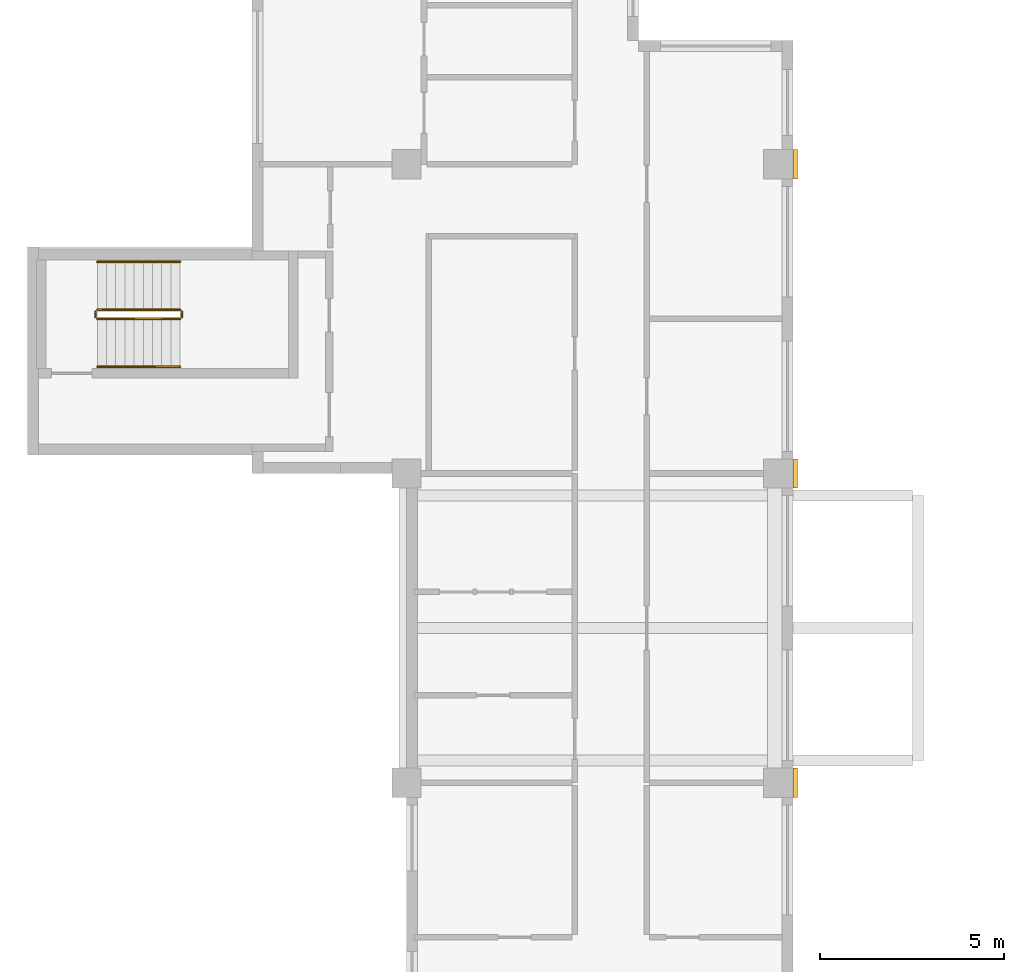
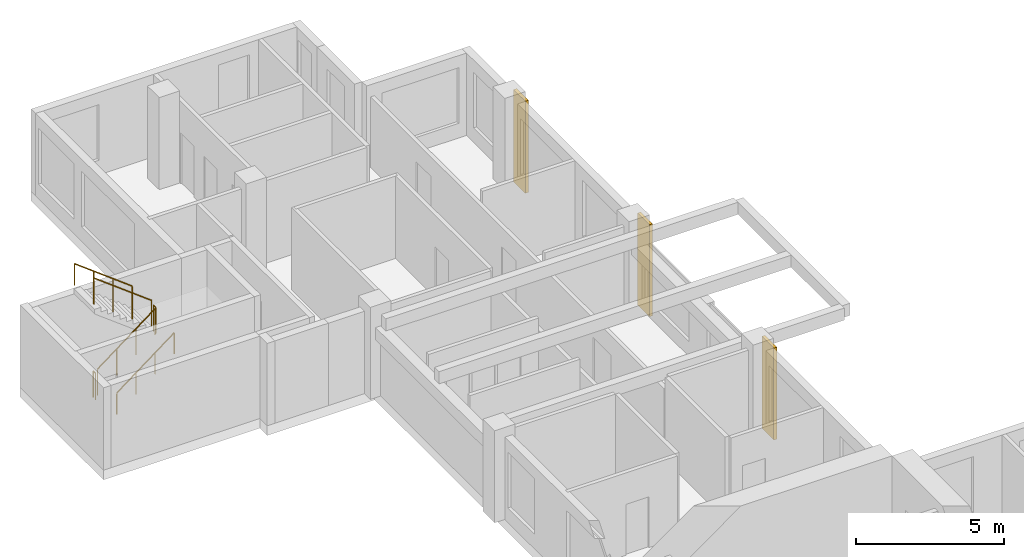
# One storey, part 12 of 12: 6 railings, 3 coverings.
"""IFC4 building model written with IfcOpenShell, lengths in metres."""

import ifcopenshell
import ifcopenshell.guid

model = None  # the IFC model being written
_history = None  # IfcOwnerHistory: only IFC2X3 demands one
_inside = {}  # id of a spatial element -> (the spatial element, [elements in it])
_under = {}  # id of a project, library or spatial element -> (it, [spatial elements below it])
_declared = {}  # id of a project -> (the project, [libraries it declares])
_typed = {}  # id of a type object -> (the type object, [elements of that type])
_made_of = {}  # id of a material, layer set ... -> (it, [elements and type objects made of it])


def new_model(schema):
    """Start an empty IFC model of exactly this schema.

    Asked for "IFC4X3", IfcOpenShell would pick the latest addendum, in which some entities
    have other attributes; the version numbers below select the first issue.
    IFC2X3 requires an IfcOwnerHistory on every rooted entity: one is made here for all.
    """
    global model, _history
    if schema == "IFC4X3":
        model = ifcopenshell.file(schema_version=(4, 3, 0, 0))
    else:
        model = ifcopenshell.file(schema=schema)
    _inside.clear()
    _under.clear()
    _declared.clear()
    _typed.clear()
    _made_of.clear()
    _history = None
    if model.schema == "IFC2X3":
        org = make("IfcOrganization", Name="unknown")
        user = make(
            "IfcPersonAndOrganization",
            ThePerson=make("IfcPerson", FamilyName="unknown"),
            TheOrganization=org,
        )
        app = make(
            "IfcApplication",
            ApplicationDeveloper=org,
            Version="unknown",
            ApplicationFullName="unknown",
            ApplicationIdentifier="unknown",
        )
        _history = make(
            "IfcOwnerHistory",
            OwningUser=user,
            OwningApplication=app,
            ChangeAction="ADDED",
            CreationDate=0,
        )
    return model


def make(cls, **values):
    """One entity of the class cls with the attributes given. An attribute that is None is left unset."""
    return model.create_entity(
        cls, **{name: value for name, value in values.items() if value is not None}
    )


def rooted(cls, **values):
    """An entity with a GlobalId (a new one), such as an element, a storey or a relation."""
    return make(cls, GlobalId=ifcopenshell.guid.new(), OwnerHistory=_history, **values)


def si_unit(unit_type, name, prefix=None):
    """IfcSIUnit, for example si_unit("LENGTHUNIT", "METRE", prefix="MILLI")."""
    return make("IfcSIUnit", UnitType=unit_type, Prefix=prefix, Name=name)


def assignment(units):
    """IfcUnitAssignment: the units of a project."""
    return None if units is None else make("IfcUnitAssignment", Units=units)


def point(xyz):
    """IfcCartesianPoint."""
    return None if xyz is None else make("IfcCartesianPoint", Coordinates=xyz)


def direction(xyz):
    """IfcDirection."""
    return None if xyz is None else make("IfcDirection", DirectionRatios=xyz)


def frame(location, z_axis=None, x_axis=None):
    """IfcAxis2Placement3D, a coordinate frame: its origin and axes. An axis left out is left unset."""
    return make(
        "IfcAxis2Placement3D",
        Location=point(location),
        Axis=direction(z_axis),
        RefDirection=direction(x_axis),
    )


def frame_2d(location, x_axis=None):
    """IfcAxis2Placement2D, a coordinate frame in the plane: its origin and x axis."""
    return make(
        "IfcAxis2Placement2D", Location=point(location), RefDirection=direction(x_axis)
    )


def origin():
    """The frame at (0, 0, 0) with its axes left unset."""
    return frame((0.0, 0.0, 0.0))


def origin_2d():
    """The frame at (0, 0) in the plane with its x axis left unset."""
    return frame_2d((0.0, 0.0))


def place(relative_to, where):
    """IfcLocalPlacement: puts the frame where relative to a parent placement (None: the world)."""
    return make(
        "IfcLocalPlacement", PlacementRelTo=relative_to, RelativePlacement=where
    )


def context(
    kind, dimensions, precision=None, world=None, true_north=None, identifier=None
):
    """IfcGeometricRepresentationContext, for example the 3D "Model" context."""
    return make(
        "IfcGeometricRepresentationContext",
        ContextIdentifier=identifier,
        ContextType=kind,
        CoordinateSpaceDimension=dimensions,
        Precision=precision,
        WorldCoordinateSystem=world,
        TrueNorth=true_north,
    )


def subcontext(parent, identifier, kind, view, scale=None):
    """IfcGeometricRepresentationSubContext, for example "Body" below "Model"."""
    return make(
        "IfcGeometricRepresentationSubContext",
        ContextIdentifier=identifier,
        ContextType=kind,
        ParentContext=parent,
        TargetScale=scale,
        TargetView=view,
    )


def project(units=None, contexts=None):
    """IfcProject with its units and contexts."""
    return rooted(
        "IfcProject",
        Name="project",
        RepresentationContexts=contexts,
        UnitsInContext=assignment(units),
    )


def spatial(cls, under=None, at=None, **own):
    """A site, building, storey or space (cls), placed at a placement, below another one or the project."""
    s = rooted(cls, ObjectPlacement=at, **own)
    if under is not None:
        _under.setdefault(under.id(), (under, []))[1].append(s)
    return s


def profile(cls, at=None, kind="AREA", **sizes):
    """A parametric profile (cls). Its sizes go by their IFC names, for example OverallWidth=200.0."""
    return make(cls, ProfileType=kind, Position=at, **sizes)


def rectangle(**sizes):
    """IfcRectangleProfileDef."""
    return profile("IfcRectangleProfileDef", **sizes)


def circle(**sizes):
    """IfcCircleProfileDef."""
    return profile("IfcCircleProfileDef", **sizes)


def extrude(swept, where, along, depth):
    """IfcExtrudedAreaSolid: the profile swept, set in the frame where, extruded along a direction by depth."""
    return make(
        "IfcExtrudedAreaSolid",
        SweptArea=swept,
        Position=where,
        ExtrudedDirection=direction(along),
        Depth=depth,
    )


def shape(context_of_items, identifier, shape_type, items):
    """IfcShapeRepresentation: the items that make up one representation, for example the "Body"."""
    return make(
        "IfcShapeRepresentation",
        ContextOfItems=context_of_items,
        RepresentationIdentifier=identifier,
        RepresentationType=shape_type,
        Items=items,
    )


def source(mapping_origin, context_of_items, identifier, shape_type, items):
    """IfcRepresentationMap: a shape defined once, which mapped items show again and again."""
    return make(
        "IfcRepresentationMap",
        MappingOrigin=mapping_origin,
        MappedRepresentation=shape(context_of_items, identifier, shape_type, items),
    )


def transform(
    local_origin,
    x_axis=None,
    y_axis=None,
    z_axis=None,
    scale=None,
    scale2=None,
    scale3=None,
    uniform=True,
):
    """IfcCartesianTransformationOperator3D, or its non-uniform kind. x_axis, y_axis, z_axis: its Axis1, 2, 3."""
    if uniform:
        return make(
            "IfcCartesianTransformationOperator3D",
            Axis1=direction(x_axis),
            Axis2=direction(y_axis),
            LocalOrigin=point(local_origin),
            Scale=scale,
            Axis3=direction(z_axis),
        )
    return make(
        "IfcCartesianTransformationOperator3DnonUniform",
        Axis1=direction(x_axis),
        Axis2=direction(y_axis),
        LocalOrigin=point(local_origin),
        Scale=scale,
        Axis3=direction(z_axis),
        Scale2=scale2,
        Scale3=scale3,
    )


def mapped(mapping_source, mapping_target):
    """IfcMappedItem: shows the shape of a source again, moved by a transform."""
    return make(
        "IfcMappedItem", MappingSource=mapping_source, MappingTarget=mapping_target
    )


def material(Name=None, Category=None):
    """IfcMaterial."""
    return make("IfcMaterial", Name=Name, Category=Category)


def made_of(thing, what):
    """Note that an element or type object is made of a material, layer set ...; save() writes the relation."""
    if what is not None:
        _made_of.setdefault(what.id(), (what, []))[1].append(thing)
    return thing


def type_object(cls, material=None, **own):
    """A type object (cls), such as IfcWallType, which elements share."""
    return made_of(rooted(cls, **own), material)


def element(
    cls,
    number,
    at=None,
    inside=None,
    cuts=None,
    type_object=None,
    material=None,
    context=None,
    identifier="Body",
    shape_type=None,
    held_by="IfcProductDefinitionShape",
    body=None,
    shapes=None,
    **own,
):
    """One element of the class cls, such as IfcWall. Its Tag is "e" and its number.

    at: its placement. inside: the storey or other place that contains it. cuts: it is an
    opening in that element (IfcRelVoidsElement). A single representation is given by context,
    identifier, shape_type and body (its items); several are given by shapes. held_by: the class
    of the entity that holds the representations. save() writes the other relations.
    """
    e = rooted(cls, Tag="e%d" % number, ObjectPlacement=at, **own)
    if body is not None:
        shapes = [shape(context, identifier, shape_type, body)]
    if shapes is not None:
        e.Representation = make(held_by, Representations=shapes)
    if inside is not None:
        _inside.setdefault(inside.id(), (inside, []))[1].append(e)
    if cuts is not None:
        rooted(
            "IfcRelVoidsElement", RelatingBuildingElement=cuts, RelatedOpeningElement=e
        )
    if type_object is not None:
        _typed.setdefault(type_object.id(), (type_object, []))[1].append(e)
    return made_of(e, material)


def aggregate(whole, parts):
    """IfcRelAggregates: a whole, such as a stair, and the parts it consists of."""
    return rooted("IfcRelAggregates", RelatingObject=whole, RelatedObjects=parts)


def save(model, path):
    """Write the relations noted so far, then the file.

    IfcRelAggregates (storeys below a building ...), IfcRelContainedInSpatialStructure (elements
    in a storey), IfcRelDefinesByType, IfcRelAssociatesMaterial and IfcRelDeclares: one each for
    every whole, place, type object, material and project.
    """
    for whole, parts in _under.values():
        aggregate(whole, parts)
    for where, things in _inside.values():
        rooted(
            "IfcRelContainedInSpatialStructure",
            RelatedElements=things,
            RelatingStructure=where,
        )
    for kind, things in _typed.values():
        rooted("IfcRelDefinesByType", RelatedObjects=things, RelatingType=kind)
    for what, things in _made_of.values():
        rooted("IfcRelAssociatesMaterial", RelatedObjects=things, RelatingMaterial=what)
    for by, libraries in _declared.values():
        rooted("IfcRelDeclares", RelatingContext=by, RelatedDefinitions=libraries)
    model.write(path)


model = new_model("IFC4")

# Units and contexts
model_context = context("Model", 3, precision=1e-05, world=origin(), true_north=direction((0.0, 1.0)))
body_context = subcontext(model_context, "Body", "Model", "MODEL_VIEW")
ifc_project = project(units=[si_unit("LENGTHUNIT", "METRE"), si_unit("AREAUNIT", "SQUARE_METRE"), si_unit("VOLUMEUNIT", "CUBIC_METRE"), si_unit("PLANEANGLEUNIT", "RADIAN"), si_unit("MASSUNIT", "GRAM", prefix="KILO")], contexts=[model_context])

# Site, building, storey
site_placement = place(None, origin())
site = spatial("IfcSite", under=ifc_project, at=site_placement, CompositionType="ELEMENT")
building_placement = place(site_placement, origin())
building = spatial("IfcBuilding", under=site, at=building_placement, Name="Aurelian Terraces", CompositionType="ELEMENT")
storey_placement = place(building_placement, frame((0.0, 0.0, 234.8)))
storey = spatial("IfcBuildingStorey", under=building, at=storey_placement, Name="L53", CompositionType="ELEMENT", Elevation=234.8)

# Coverings
ifc_material_1 = material(Name="Terracotta rainscreen cladding relief", Category="masonry")
covering_type = type_object("IfcCoveringType", Name="BAGUETTE-TC", PredefinedType="CLADDING", material=ifc_material_1)
shared_shape_1 = source(origin(), body_context, "Body", "SweptSolid", [
    extrude(rectangle(XDim=0.12, YDim=0.8, at=origin_2d()), origin(), (0.0, 0.0, 1.0), 3.8),
])
for number, where, z_axis, x_axis, name in (
    (1, (21.06, 29.4, -0.4), (0.0, 0.0, 1.0), (1.0, 0.0, 0.0), "BAGUETTE pier L53 6"),
    (2, (21.06, 37.8, -0.4), (0.0, 0.0, 1.0), (1.0, 0.0, 0.0), "BAGUETTE pier L53 7"),
    (3, (21.06, 46.2, -0.4), (0.0, 0.0, 1.0), (1.0, 0.0, 0.0), "BAGUETTE pier L53 8"),
):
    element("IfcCovering", number, at=place(storey_placement, frame(where, z_axis=z_axis, x_axis=x_axis)), inside=storey, type_object=covering_type, Name=name, PredefinedType="CLADDING", context=body_context, shape_type="MappedRepresentation", body=[
        mapped(shared_shape_1, transform((0.0, 0.0, 0.0), scale=1.0)),
    ])

# Railings
ifc_material_2 = material(Name="Stainless steel", Category="steel")
railing_type_1 = type_object("IfcRailingType", Name="Stair guard 1100", PredefinedType="GUARDRAIL", material=ifc_material_2)
shared_shape_2 = source(origin(), body_context, "Body", "SweptSolid", [
    extrude(circle(Radius=0.024, at=origin_2d()), frame((0.0, 0.0, 1.076), z_axis=(0.0, 1.0, 0.0), x_axis=(-1.0, 0.0, 0.0)), (0.0, 0.0, 1.0), 0.15),
    extrude(circle(Radius=0.021, at=origin_2d()), origin(), (0.0, 0.0, 1.0), 1.052),
    extrude(circle(Radius=0.021, at=origin_2d()), frame((0.0, 0.15, 0.0)), (0.0, 0.0, 1.0), 1.052),
])
for number, where, name in (
    (4, (4.4, 42.05, 1.9), "L53 S3 stair guard 2"),
    (5, (2.05, 42.05, 0.0), "L53 S3 stair guard 4"),
):
    element("IfcRailing", number, at=place(storey_placement, frame(where)), inside=storey, type_object=railing_type_1, Name=name, PredefinedType="GUARDRAIL", context=body_context, shape_type="MappedRepresentation", body=[
        mapped(shared_shape_2, transform((0.0, 0.0, 0.0), scale=1.0)),
    ])
shared_shape_3 = source(origin(), body_context, "Body", "SweptSolid", [
    extrude(circle(Radius=0.024, at=origin_2d()), frame((0.0, 0.0, 1.076), z_axis=(0.796162194123, 0.0, 0.605083267534), x_axis=(0.0, 1.0, 0.0)), (0.0, 0.0, 1.0), 2.8261),
    extrude(circle(Radius=0.021, at=origin_2d()), origin(), (0.0, 0.0, 1.0), 1.052),
    extrude(circle(Radius=0.021, at=origin_2d()), frame((0.75, 0.0, 0.57)), (0.0, 0.0, 1.0), 1.052),
    extrude(circle(Radius=0.021, at=origin_2d()), frame((1.5, 0.0, 1.14)), (0.0, 0.0, 1.0), 1.052),
    extrude(circle(Radius=0.021, at=origin_2d()), frame((2.25, 0.0, 1.71)), (0.0, 0.0, 1.0), 1.052),
])
railing_1_placement = place(storey_placement, frame((2.1, 42.0, 0.19)))
element("IfcRailing", 6, at=railing_1_placement, inside=storey, type_object=railing_type_1, Name="L53 S3 stair guard 1", PredefinedType="GUARDRAIL", context=body_context, shape_type="MappedRepresentation", body=[
    mapped(shared_shape_3, transform((0.0, 0.0, 0.0), scale=1.0)),
])
shared_shape_4 = source(origin(), body_context, "Body", "SweptSolid", [
    extrude(circle(Radius=0.024, at=origin_2d()), frame((0.0, 0.0, 1.076), z_axis=(-0.796162194123, 0.0, 0.605083267534), x_axis=(0.0, -1.0, 0.0)), (0.0, 0.0, 1.0), 2.8261),
    extrude(circle(Radius=0.021, at=origin_2d()), origin(), (0.0, 0.0, 1.0), 1.052),
    extrude(circle(Radius=0.021, at=origin_2d()), frame((-0.75, 0.0, 0.57)), (0.0, 0.0, 1.0), 1.052),
    extrude(circle(Radius=0.021, at=origin_2d()), frame((-1.5, 0.0, 1.14)), (0.0, 0.0, 1.0), 1.052),
    extrude(circle(Radius=0.021, at=origin_2d()), frame((-2.25, 0.0, 1.71)), (0.0, 0.0, 1.0), 1.052),
])
railing_2_placement = place(storey_placement, frame((4.35, 42.25, 2.09)))
element("IfcRailing", 7, at=railing_2_placement, inside=storey, type_object=railing_type_1, Name="L53 S3 stair guard 3", PredefinedType="GUARDRAIL", context=body_context, shape_type="MappedRepresentation", body=[
    mapped(shared_shape_4, transform((0.0, 0.0, 0.0), scale=1.0)),
])
railing_type_2 = type_object("IfcRailingType", Name="Stair handrail", PredefinedType="HANDRAIL", material=ifc_material_2)
shared_shape_5 = source(origin(), body_context, "Body", "SweptSolid", [
    extrude(circle(Radius=0.024, at=origin_2d()), frame((0.0, 0.0, 0.876), z_axis=(0.796162194123, 0.0, 0.605083267534), x_axis=(0.0, 1.0, 0.0)), (0.0, 0.0, 1.0), 2.8261),
    extrude(circle(Radius=0.021, at=origin_2d()), origin(), (0.0, 0.0, 1.0), 0.852),
    extrude(circle(Radius=0.021, at=origin_2d()), frame((0.75, 0.0, 0.57)), (0.0, 0.0, 1.0), 0.852),
    extrude(circle(Radius=0.021, at=origin_2d()), frame((1.5, 0.0, 1.14)), (0.0, 0.0, 1.0), 0.852),
    extrude(circle(Radius=0.021, at=origin_2d()), frame((2.25, 0.0, 1.71)), (0.0, 0.0, 1.0), 0.852),
])
railing_3_placement = place(storey_placement, frame((2.1, 40.7, 0.19)))
element("IfcRailing", 8, at=railing_3_placement, inside=storey, type_object=railing_type_2, Name="L53 S3 stair handrail 1", PredefinedType="HANDRAIL", context=body_context, shape_type="MappedRepresentation", body=[
    mapped(shared_shape_5, transform((0.0, 0.0, 0.0), scale=1.0)),
])
shared_shape_6 = source(origin(), body_context, "Body", "SweptSolid", [
    extrude(circle(Radius=0.024, at=origin_2d()), frame((0.0, 0.0, 0.876), z_axis=(-0.796162194123, 0.0, 0.605083267534), x_axis=(0.0, -1.0, 0.0)), (0.0, 0.0, 1.0), 2.8261),
    extrude(circle(Radius=0.021, at=origin_2d()), origin(), (0.0, 0.0, 1.0), 0.852),
    extrude(circle(Radius=0.021, at=origin_2d()), frame((-0.75, 0.0, 0.57)), (0.0, 0.0, 1.0), 0.852),
    extrude(circle(Radius=0.021, at=origin_2d()), frame((-1.5, 0.0, 1.14)), (0.0, 0.0, 1.0), 0.852),
    extrude(circle(Radius=0.021, at=origin_2d()), frame((-2.25, 0.0, 1.71)), (0.0, 0.0, 1.0), 0.852),
])
railing_4_placement = place(storey_placement, frame((4.35, 43.55, 2.09)))
element("IfcRailing", 9, at=railing_4_placement, inside=storey, type_object=railing_type_2, Name="L53 S3 stair handrail 2", PredefinedType="HANDRAIL", context=body_context, shape_type="MappedRepresentation", body=[
    mapped(shared_shape_6, transform((0.0, 0.0, 0.0), scale=1.0)),
])

save(model, "model.ifc")
